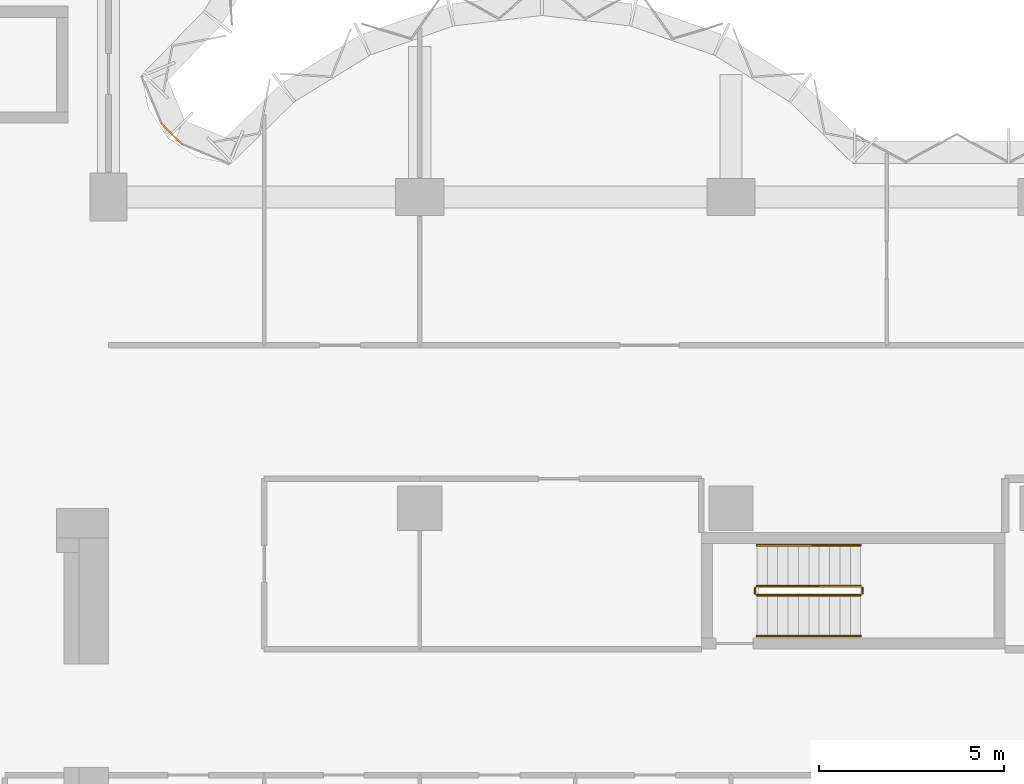
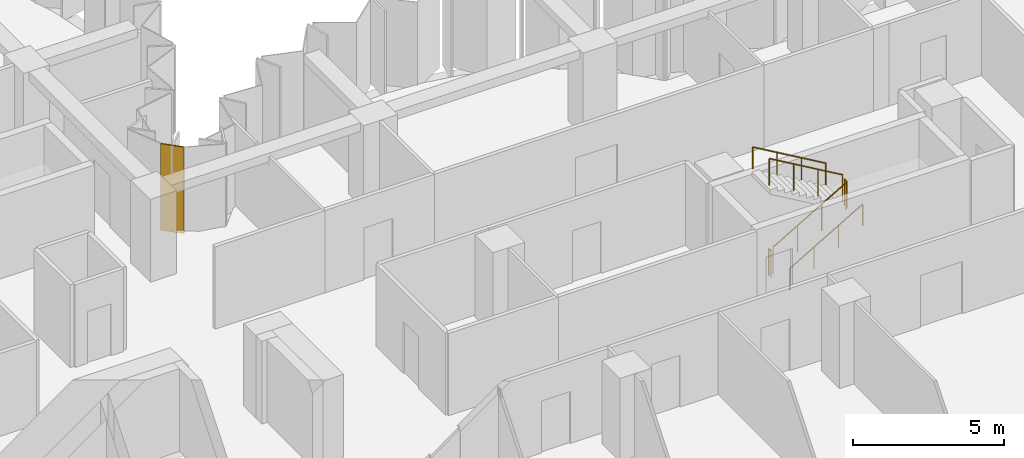
# One storey, part 13 of 13: 6 railings, 1 covering, 1 element without a shape of its own.
"""IFC4 building model written with IfcOpenShell, lengths in metres."""

from ifc_helpers import new_model, si_unit, direction, frame, origin, origin_2d, place, context, subcontext, project, spatial, polyline, circle, outline, extrude, material, layer, layer_set, type_object, element, aggregate, save


model = new_model("IFC4")

# Units and contexts
model_context = context("Model", 3, precision=1e-05, world=origin(), true_north=direction((0.0, 1.0)))
body_context = subcontext(model_context, "Body", "Model", "MODEL_VIEW")
ifc_project = project(units=[si_unit("LENGTHUNIT", "METRE"), si_unit("AREAUNIT", "SQUARE_METRE"), si_unit("VOLUMEUNIT", "CUBIC_METRE"), si_unit("PLANEANGLEUNIT", "RADIAN"), si_unit("MASSUNIT", "GRAM", prefix="KILO")], contexts=[model_context])

# Site, building, storey
site_placement = place(None, origin())
site = spatial("IfcSite", under=ifc_project, at=site_placement, CompositionType="ELEMENT")
building_placement = place(site_placement, origin())
building = spatial("IfcBuilding", under=site, at=building_placement, Name="Brevane Broadcast Tower", CompositionType="ELEMENT")
storey_placement = place(building_placement, frame((0.0, 0.0, 131.300048828125)))
storey = spatial("IfcBuildingStorey", under=building, at=storey_placement, Name="L32", CompositionType="ELEMENT", Elevation=131.300048828125)

# Railings
ifc_material_1 = material(Name="Steel S355", Category="steel")
railing_type_1 = type_object("IfcRailingType", Name="Exit stair guard", PredefinedType="GUARDRAIL", material=ifc_material_1)
railing_1_placement = place(storey_placement, frame((42.699951171875, 14.449951171875, 0.16357421875)))
element("IfcRailing", 1, at=railing_1_placement, inside=storey, type_object=railing_type_1, Name="L32 ST-4 stair guard 1", PredefinedType="GUARDRAIL", context=body_context, shape_type="SweptSolid", body=[
    extrude(circle(Radius=0.02392578125, at=origin_2d()), frame((0.0, 0.0, 1.076171875), z_axis=(0.863360870873, 0.0, 0.504586966384), x_axis=(0.0, 1.0, 0.0)), (0.0, 0.0, 1.0), 3.2431640625),
    extrude(circle(Radius=0.02099609375, at=origin_2d()), origin(), (0.0, 0.0, 1.0), 1.052001953125),
    extrude(circle(Radius=0.02099609375, at=origin_2d()), frame((0.933349609375, 0.0, 0.54541015625)), (0.0, 0.0, 1.0), 1.052001953125),
    extrude(circle(Radius=0.02099609375, at=origin_2d()), frame((1.86669921875, 0.0, 1.091064453125)), (0.0, 0.0, 1.0), 1.052001953125),
    extrude(circle(Radius=0.02099609375, at=origin_2d()), frame((2.800048828125, 0.0, 1.636474609375)), (0.0, 0.0, 1.0), 1.052001953125),
])
railing_2_placement = place(storey_placement, frame((45.550048828125, 14.5, 1.800048828125)))
element("IfcRailing", 2, at=railing_2_placement, inside=storey, type_object=railing_type_1, Name="L32 ST-4 stair guard 2", PredefinedType="GUARDRAIL", context=body_context, shape_type="SweptSolid", body=[
    extrude(circle(Radius=0.02392578125, at=origin_2d()), frame((0.0, 0.0, 1.076171875), z_axis=(0.0, 1.0, 0.0), x_axis=(-1.0, 0.0, 0.0)), (0.0, 0.0, 1.0), 0.14990234375),
    extrude(circle(Radius=0.02099609375, at=origin_2d()), origin(), (0.0, 0.0, 1.0), 1.052001953125),
    extrude(circle(Radius=0.02099609375, at=origin_2d()), frame((0.0, 0.14990234375, 0.0)), (0.0, 0.0, 1.0), 1.052001953125),
])
railing_3_placement = place(storey_placement, frame((45.5, 14.699951171875, 1.963623046875)))
element("IfcRailing", 3, at=railing_3_placement, inside=storey, type_object=railing_type_1, Name="L32 ST-4 stair guard 3", PredefinedType="GUARDRAIL", context=body_context, shape_type="SweptSolid", body=[
    extrude(circle(Radius=0.02392578125, at=origin_2d()), frame((0.0, 0.0, 1.076171875), z_axis=(-0.863393664356, 0.0, 0.504530851732), x_axis=(0.0, -1.0, 0.0)), (0.0, 0.0, 1.0), 3.2431640625),
    extrude(circle(Radius=0.02099609375, at=origin_2d()), origin(), (0.0, 0.0, 1.0), 1.052001953125),
    extrude(circle(Radius=0.02099609375, at=origin_2d()), frame((-0.933349609375, 0.0, 0.54541015625)), (0.0, 0.0, 1.0), 1.052001953125),
    extrude(circle(Radius=0.02099609375, at=origin_2d()), frame((-1.86669921875, 0.0, 1.0908203125)), (0.0, 0.0, 1.0), 1.052001953125),
    extrude(circle(Radius=0.02099609375, at=origin_2d()), frame((-2.800048828125, 0.0, 1.63623046875)), (0.0, 0.0, 1.0), 1.052001953125),
])
railing_4_placement = place(storey_placement, frame((42.64990234375, 14.5, 0.0)))
element("IfcRailing", 4, at=railing_4_placement, inside=storey, type_object=railing_type_1, Name="L32 ST-4 stair guard 4", PredefinedType="GUARDRAIL", context=body_context, shape_type="SweptSolid", body=[
    extrude(circle(Radius=0.02392578125, at=origin_2d()), frame((0.0, 0.0, 1.076171875), z_axis=(0.0, 1.0, 0.0), x_axis=(-1.0, 0.0, 0.0)), (0.0, 0.0, 1.0), 0.14990234375),
    extrude(circle(Radius=0.02099609375, at=origin_2d()), origin(), (0.0, 0.0, 1.0), 1.052001953125),
    extrude(circle(Radius=0.02099609375, at=origin_2d()), frame((0.0, 0.14990234375, 0.0)), (0.0, 0.0, 1.0), 1.052001953125),
])
railing_type_2 = type_object("IfcRailingType", Name="Exit stair handrail", PredefinedType="HANDRAIL", material=ifc_material_1)
railing_5_placement = place(storey_placement, frame((42.699951171875, 13.35009765625, 0.16357421875)))
element("IfcRailing", 5, at=railing_5_placement, inside=storey, type_object=railing_type_2, Name="L32 ST-4 stair handrail 1", PredefinedType="HANDRAIL", context=body_context, shape_type="SweptSolid", body=[
    extrude(circle(Radius=0.02392578125, at=origin_2d()), frame((0.0, 0.0, 0.8759765625), z_axis=(0.863360870873, 0.0, 0.504586966384), x_axis=(0.0, 1.0, 0.0)), (0.0, 0.0, 1.0), 3.2431640625),
    extrude(circle(Radius=0.02099609375, at=origin_2d()), origin(), (0.0, 0.0, 1.0), 0.851806640625),
    extrude(circle(Radius=0.02099609375, at=origin_2d()), frame((0.933349609375, 0.0, 0.54541015625)), (0.0, 0.0, 1.0), 0.851806640625),
    extrude(circle(Radius=0.02099609375, at=origin_2d()), frame((1.86669921875, 0.0, 1.091064453125)), (0.0, 0.0, 1.0), 0.851806640625),
    extrude(circle(Radius=0.02099609375, at=origin_2d()), frame((2.800048828125, 0.0, 1.636474609375)), (0.0, 0.0, 1.0), 0.851806640625),
])
railing_6_placement = place(storey_placement, frame((45.5, 15.800048828125, 1.963623046875)))
element("IfcRailing", 6, at=railing_6_placement, inside=storey, type_object=railing_type_2, Name="L32 ST-4 stair handrail 2", PredefinedType="HANDRAIL", context=body_context, shape_type="SweptSolid", body=[
    extrude(circle(Radius=0.02392578125, at=origin_2d()), frame((0.0, 0.0, 0.8759765625), z_axis=(-0.863393664356, 0.0, 0.504530851732), x_axis=(0.0, -1.0, 0.0)), (0.0, 0.0, 1.0), 3.2431640625),
    extrude(circle(Radius=0.02099609375, at=origin_2d()), origin(), (0.0, 0.0, 1.0), 0.851806640625),
    extrude(circle(Radius=0.02099609375, at=origin_2d()), frame((-0.933349609375, 0.0, 0.54541015625)), (0.0, 0.0, 1.0), 0.851806640625),
    extrude(circle(Radius=0.02099609375, at=origin_2d()), frame((-1.86669921875, 0.0, 1.0908203125)), (0.0, 0.0, 1.0), 0.851806640625),
    extrude(circle(Radius=0.02099609375, at=origin_2d()), frame((-2.800048828125, 0.0, 1.63623046875)), (0.0, 0.0, 1.0), 0.851806640625),
])

# Curtain wall, covering
ifc_material_2 = material(Name="Aluminium 6063-T6 bronze anodised", Category="aluminium")
curtain_wall_type = type_object("IfcCurtainWallType", Name="CW-1 curtain wall", PredefinedType="NOTDEFINED", material=ifc_material_2)
curtain_wall_placement = place(storey_placement, origin())
curtain_wall = element("IfcCurtainWall", 7, at=curtain_wall_placement, inside=storey, type_object=curtain_wall_type, Name="CW-1 typical tilted unit L32 inner corner", PredefinedType="NOTDEFINED")
ifc_material_3 = material(Name="Back-painted bronze glass shadow-box", Category="glass")
ifc_layer = layer(ifc_material_3, 0.0400390625)
ifc_layer_set = layer_set([ifc_layer], Name="Shadow-box panel 40")
covering_type = type_object("IfcCoveringType", Name="Shadow-box panel 40", PredefinedType="CLADDING", material=ifc_layer_set)
covering_placement = place(storey_placement, frame((0.0, 0.0, -0.150146484375)))
covering = element("IfcCovering", 8, at=covering_placement, type_object=covering_type, Name="Closure panel", PredefinedType="CLADDING", context=body_context, shape_type="SweptSolid", body=[
    extrude(outline(polyline([(27.17138671875, 26.60498046875), (27.2021484375, 26.635498046875), (26.635498046875, 27.2021484375), (26.60498046875, 27.17138671875), (27.17138671875, 26.60498046875)])), origin(), (0.0, 0.0, 1.0), 3.5),
])
aggregate(curtain_wall, [covering])

save(model, "model.ifc")
